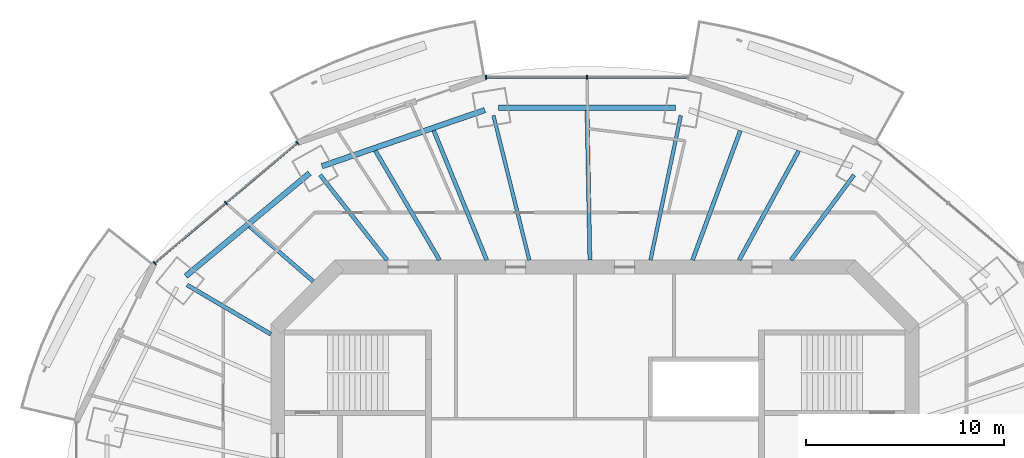
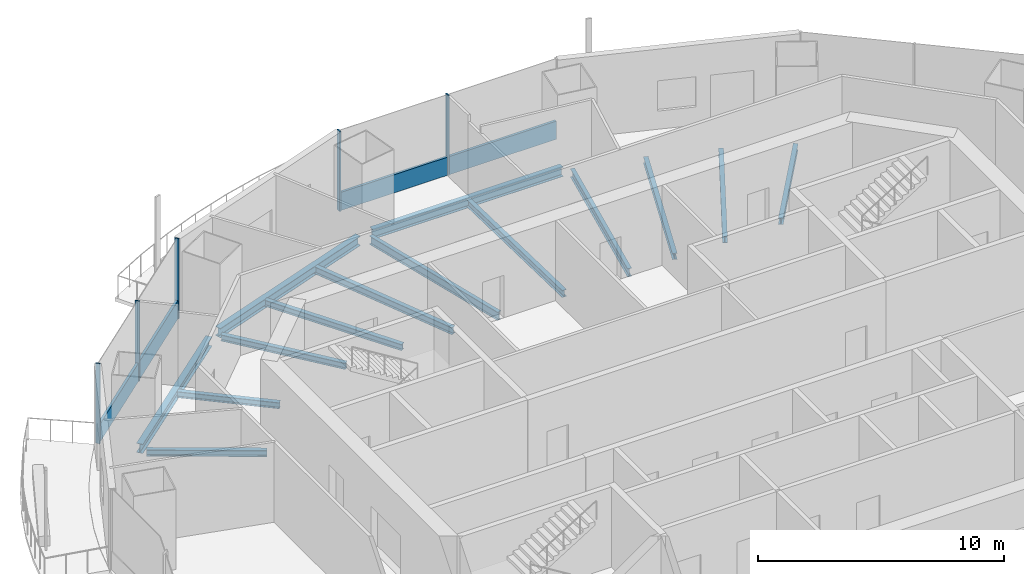
# One storey, part 5 of 16: 14 beams, 7 members, 2 elements without a shape of their own.
"""IFC4 building model written with IfcOpenShell, lengths in metres."""

from ifc_helpers import new_model, si_unit, direction, frame, origin, origin_2d, place, context, subcontext, project, spatial, rectangle, i_section, extrude, material, material_profile, profile_set, type_object, element, aggregate, save


model = new_model("IFC4")

# Units and contexts
model_context = context("Model", 3, precision=1e-05, world=origin(), true_north=direction((0.0, 1.0)))
body_context = subcontext(model_context, "Body", "Model", "MODEL_VIEW")
ifc_project = project(units=[si_unit("LENGTHUNIT", "METRE"), si_unit("AREAUNIT", "SQUARE_METRE"), si_unit("VOLUMEUNIT", "CUBIC_METRE"), si_unit("PLANEANGLEUNIT", "RADIAN"), si_unit("MASSUNIT", "GRAM", prefix="KILO")], contexts=[model_context])

# Site, building, storey
site_placement = place(None, origin())
site = spatial("IfcSite", under=ifc_project, at=site_placement, CompositionType="ELEMENT")
building_placement = place(site_placement, origin())
building = spatial("IfcBuilding", under=site, at=building_placement, Name="Marenthal Gate Tower", CompositionType="ELEMENT")
storey_placement = place(building_placement, frame((0.0, 0.0, 363.35009765625)))
storey = spatial("IfcBuildingStorey", under=building, at=storey_placement, Name="L82", CompositionType="ELEMENT", Elevation=363.35009765625)

# Curtain wall, members
ifc_material_1 = material(Name="Aluminium and glass", Category="aluminium")
curtain_wall_type = type_object("IfcCurtainWallType", Name="Curtain wall typical high", PredefinedType="NOTDEFINED", material=ifc_material_1)
curtain_wall_1_placement = place(storey_placement, origin())
curtain_wall_1 = element("IfcCurtainWall", 1, at=curtain_wall_1_placement, inside=storey, type_object=curtain_wall_type, Name="Curtain wall L82 bay 4", PredefinedType="NOTDEFINED")
ifc_material_2 = material(Name="Aluminium", Category="aluminium")
ifc_material_profile_1 = material_profile(ifc_material_2, rectangle(XDim=0.199951171875, YDim=0.06005859375, at=origin_2d()), Name="60x200 aluminium mullion")
ifc_profile_set_1 = profile_set([ifc_material_profile_1], Name="Aluminium")
member_type_1 = type_object("IfcMemberType", Name="Mullion 60x200 typical high", PredefinedType="MULLION", material=ifc_profile_set_1)
member_1_placement = place(storey_placement, frame((-0.39990234375, 22.586181640625, 0.0), z_axis=(0.0, 0.0, 1.0), x_axis=(0.0, -1.0, 0.0)))
member_1 = element("IfcMember", 2, at=member_1_placement, type_object=member_type_1, Name="Mullion L82 bay 4.2", PredefinedType="MULLION", context=body_context, shape_type="SweptSolid", body=[
    extrude(rectangle(XDim=0.199951171875, YDim=0.06005859375, at=origin_2d()), origin(), (0.0, 0.0, 1.0), 3.969970703125),
])
member_2_placement = place(storey_placement, frame((-5.493896484375, 22.586181640625, 0.0), z_axis=(0.0, 0.0, 1.0), x_axis=(0.0, -1.0, 0.0)))
member_2 = element("IfcMember", 3, at=member_2_placement, type_object=member_type_1, Name="Mullion L82 bay 4.3", PredefinedType="MULLION", context=body_context, shape_type="SweptSolid", body=[
    extrude(rectangle(XDim=0.199951171875, YDim=0.06005859375, at=origin_2d()), origin(), (0.0, 0.0, 1.0), 3.969970703125),
])

curtain_wall_2_placement = place(storey_placement, origin())
curtain_wall_2 = element("IfcCurtainWall", 4, at=curtain_wall_2_placement, inside=storey, type_object=curtain_wall_type, Name="Curtain wall L82 bay 6", PredefinedType="NOTDEFINED")
member_3_placement = place(storey_placement, frame((-15.01513671875, 19.265380859375, 0.0), z_axis=(0.0, 0.0, 1.0), x_axis=(0.644022605429, -0.765006459905, 0.0)))
member_3 = element("IfcMember", 5, at=member_3_placement, type_object=member_type_1, Name="Mullion L82 bay 6.1", PredefinedType="MULLION", context=body_context, shape_type="SweptSolid", body=[
    extrude(rectangle(XDim=0.199951171875, YDim=0.06005859375, at=origin_2d()), origin(), (0.0, 0.0, 1.0), 3.969970703125),
])
member_4_placement = place(storey_placement, frame((-18.615234375, 16.234375, 0.0), z_axis=(0.0, 0.0, 1.0), x_axis=(0.644022605429, -0.765006459905, 0.0)))
member_4 = element("IfcMember", 6, at=member_4_placement, type_object=member_type_1, Name="Mullion L82 bay 6.2", PredefinedType="MULLION", context=body_context, shape_type="SweptSolid", body=[
    extrude(rectangle(XDim=0.199951171875, YDim=0.06005859375, at=origin_2d()), origin(), (0.0, 0.0, 1.0), 3.969970703125),
])
member_5_placement = place(storey_placement, frame((-22.215576171875, 13.20361328125, 0.0), z_axis=(0.0, 0.0, 1.0), x_axis=(0.644022605429, -0.765006459905, 0.0)))
member_5 = element("IfcMember", 7, at=member_5_placement, type_object=member_type_1, Name="Mullion L82 bay 6.3", PredefinedType="MULLION", context=body_context, shape_type="SweptSolid", body=[
    extrude(rectangle(XDim=0.199951171875, YDim=0.06005859375, at=origin_2d()), origin(), (0.0, 0.0, 1.0), 3.969970703125),
])

# Member
ifc_material_3 = material(Name="Aluminium", Category="aluminium")
ifc_material_profile_2 = material_profile(ifc_material_3, rectangle(XDim=0.1201171875, YDim=0.89990234375, at=origin_2d()), Name="120x900 aluminium transom")
ifc_profile_set_2 = profile_set([ifc_material_profile_2], Name="Aluminium")
member_type_2 = type_object("IfcMemberType", Name="Transom 120x900 typical high", PredefinedType="USERDEFINED", material=ifc_profile_set_2)
member_6_placement = place(storey_placement, frame((4.6640625, 22.586181640625, 0.449951171875), z_axis=(-1.0, 0.0, 0.0), x_axis=(0.0, -1.0, 0.0)))
member_6 = element("IfcMember", 8, at=member_6_placement, type_object=member_type_2, Name="Transom L82 bay 4", ObjectType="TRANSOM", PredefinedType="USERDEFINED", context=body_context, shape_type="SweptSolid", body=[
    extrude(rectangle(XDim=0.1201171875, YDim=0.89990234375, at=origin_2d()), origin(), (0.0, 0.0, 1.0), 10.128173828125),
])

aggregate(curtain_wall_1, [member_1, member_2, member_6])

member_7_placement = place(storey_placement, frame((-15.0380859375, 19.245849609375, 0.449951171875), z_axis=(-0.76501273232, -0.644015154626, 0.0), x_axis=(0.644015154626, -0.76501273232, 0.0)))
member_7 = element("IfcMember", 9, at=member_7_placement, type_object=member_type_2, Name="Transom L82 bay 6", ObjectType="TRANSOM", PredefinedType="USERDEFINED", context=body_context, shape_type="SweptSolid", body=[
    extrude(rectangle(XDim=0.1201171875, YDim=0.89990234375, at=origin_2d()), origin(), (0.0, 0.0, 1.0), 9.352294921875),
])

aggregate(curtain_wall_2, [member_3, member_4, member_5, member_7])

# Beams
ifc_material_4 = material(Name="Steel S355", Category="steel")
ifc_material_profile_3 = material_profile(ifc_material_4, i_section(OverallWidth=0.202880859375, OverallDepth=0.302001953125, WebThickness=0.007568359375, FlangeThickness=0.01318359375, FilletRadius=0.0126953125, at=origin_2d()), Name="W310X60")
ifc_profile_set_3 = profile_set([ifc_material_profile_3], Name="Steel S355")
beam_type_1 = type_object("IfcBeamType", Name="W310X60 beam", PredefinedType="BEAM", material=ifc_profile_set_3)
beam_1_placement = place(storey_placement, frame((-17.41259765625, 15.046142578125, -0.3310546875), z_axis=(0.756654197552, -0.653815283797, 0.0), x_axis=(0.653815283797, 0.756654197552, 0.0)))
element("IfcBeam", 10, at=beam_1_placement, inside=storey, type_object=beam_type_1, Name="BM-L82-25", PredefinedType="BEAM", context=body_context, shape_type="SweptSolid", body=[
    extrude(i_section(OverallWidth=0.202880859375, OverallDepth=0.302001953125, WebThickness=0.007568359375, FlangeThickness=0.01318359375, FilletRadius=0.0126953125, at=origin_2d()), origin(), (0.0, 0.0, 1.0), 4.22802734375),
])
ifc_material_5 = material(Name="Steel S355", Category="steel")
ifc_material_profile_4 = material_profile(ifc_material_5, i_section(OverallWidth=0.205078125, OverallDepth=0.31005859375, WebThickness=0.009521484375, FlangeThickness=0.016357421875, FilletRadius=0.0126953125, at=origin_2d()), Name="W310X74")
ifc_profile_set_4 = profile_set([ifc_material_profile_4], Name="Steel S355")
beam_type_2 = type_object("IfcBeamType", Name="W310X74 beam", PredefinedType="BEAM", material=ifc_profile_set_4)
beam_2_placement = place(storey_placement, frame((13.071533203125, 17.643310546875, -0.335205078125), z_axis=(-0.595288742749, -0.803511862238, 0.0), x_axis=(0.803511862238, -0.595288742749, 0.0)))
element("IfcBeam", 11, at=beam_2_placement, inside=storey, type_object=beam_type_2, Name="BM-L82-03", PredefinedType="BEAM", context=body_context, shape_type="SweptSolid", body=[
    extrude(i_section(OverallWidth=0.205078125, OverallDepth=0.31005859375, WebThickness=0.009521484375, FlangeThickness=0.016357421875, FilletRadius=0.0126953125, at=origin_2d()), origin(), (0.0, 0.0, 1.0), 5.343017578125),
])
beam_3_placement = place(storey_placement, frame((-13.860107421875, 17.647216796875, -0.335205078125), z_axis=(0.617673543171, -0.786434608894, 0.0), x_axis=(0.786434608894, 0.617673543171, 0.0)))
element("IfcBeam", 12, at=beam_3_placement, inside=storey, type_object=beam_type_2, Name="BM-L82-06", PredefinedType="BEAM", context=body_context, shape_type="SweptSolid", body=[
    extrude(i_section(OverallWidth=0.205078125, OverallDepth=0.31005859375, WebThickness=0.009521484375, FlangeThickness=0.016357421875, FilletRadius=0.0126953125, at=origin_2d()), origin(), (0.0, 0.0, 1.0), 5.464111328125),
])
beam_4_placement = place(storey_placement, frame((-20.57177734375, 12.098876953125, -0.335205078125), z_axis=(0.861950873006, -0.506991807156, 0.0), x_axis=(0.506991807156, 0.861950873006, 0.0)))
element("IfcBeam", 13, at=beam_4_placement, inside=storey, type_object=beam_type_2, Name="BM-L82-07", PredefinedType="BEAM", context=body_context, shape_type="SweptSolid", body=[
    extrude(i_section(OverallWidth=0.205078125, OverallDepth=0.31005859375, WebThickness=0.009521484375, FlangeThickness=0.016357421875, FilletRadius=0.0126953125, at=origin_2d()), origin(), (0.0, 0.0, 1.0), 4.897705078125),
])
beam_5_placement = place(storey_placement, frame((10.280517578125, 18.868408203125, -0.335205078125), z_axis=(-0.478465572796, -0.87810631227, 0.0), x_axis=(0.87810631227, -0.478465572796, 0.0)))
element("IfcBeam", 14, at=beam_5_placement, inside=storey, type_object=beam_type_2, Name="BM-L82-20", PredefinedType="BEAM", context=body_context, shape_type="SweptSolid", body=[
    extrude(i_section(OverallWidth=0.205078125, OverallDepth=0.31005859375, WebThickness=0.009521484375, FlangeThickness=0.016357421875, FilletRadius=0.0126953125, at=origin_2d()), origin(), (0.0, 0.0, 1.0), 6.284423828125),
])
beam_6_placement = place(storey_placement, frame((7.333740234375, 19.8837890625, -0.335205078125), z_axis=(-0.34605462935, -0.938214364367, 0.0), x_axis=(0.938214364367, -0.34605462935, 0.0)))
element("IfcBeam", 15, at=beam_6_placement, inside=storey, type_object=beam_type_2, Name="BM-L82-21", PredefinedType="BEAM", context=body_context, shape_type="SweptSolid", body=[
    extrude(i_section(OverallWidth=0.205078125, OverallDepth=0.31005859375, WebThickness=0.009521484375, FlangeThickness=0.016357421875, FilletRadius=0.0126953125, at=origin_2d()), origin(), (0.0, 0.0, 1.0), 6.9638671875),
])
beam_7_placement = place(storey_placement, frame((-11.076171875, 18.8701171875, -0.335205078125), z_axis=(0.506226470538, -0.862400580083, 0.0), x_axis=(0.862400580083, 0.506226470538, 0.0)))
element("IfcBeam", 16, at=beam_7_placement, inside=storey, type_object=beam_type_2, Name="BM-L82-24", PredefinedType="BEAM", context=body_context, shape_type="SweptSolid", body=[
    extrude(i_section(OverallWidth=0.205078125, OverallDepth=0.31005859375, WebThickness=0.009521484375, FlangeThickness=0.016357421875, FilletRadius=0.0126953125, at=origin_2d()), origin(), (0.0, 0.0, 1.0), 6.40087890625),
])
ifc_material_6 = material(Name="Steel S355", Category="steel")
ifc_material_profile_5 = material_profile(ifc_material_6, i_section(OverallWidth=0.205078125, OverallDepth=0.35302734375, WebThickness=0.009521484375, FlangeThickness=0.016845703125, FilletRadius=0.014892578125, at=origin_2d()), Name="W360X79")
ifc_profile_set_5 = profile_set([ifc_material_profile_5], Name="Steel S355")
beam_type_3 = type_object("IfcBeamType", Name="W360X79 beam", PredefinedType="BEAM", material=ifc_profile_set_5)
beam_8_placement = place(storey_placement, frame((-0.397216796875, 20.89697265625, -0.356689453125), z_axis=(0.018985966402, -0.999819750295, 0.0), x_axis=(0.999819750295, 0.018985966402, 0.0)))
element("IfcBeam", 17, at=beam_8_placement, inside=storey, type_object=beam_type_3, Name="BM-L82-22", PredefinedType="BEAM", context=body_context, shape_type="SweptSolid", body=[
    extrude(i_section(OverallWidth=0.205078125, OverallDepth=0.35302734375, WebThickness=0.009521484375, FlangeThickness=0.016845703125, FilletRadius=0.014892578125, at=origin_2d()), origin(), (0.0, 0.0, 1.0), 7.54833984375),
])
beam_9_placement = place(storey_placement, frame((-8.129150390625, 19.88525390625, -0.356689453125), z_axis=(0.378409319128, -0.925638367397, 0.0), x_axis=(0.925638367397, 0.378409319128, 0.0)))
element("IfcBeam", 18, at=beam_9_placement, inside=storey, type_object=beam_type_3, Name="BM-L82-23", PredefinedType="BEAM", context=body_context, shape_type="SweptSolid", body=[
    extrude(i_section(OverallWidth=0.205078125, OverallDepth=0.35302734375, WebThickness=0.009521484375, FlangeThickness=0.016845703125, FilletRadius=0.014892578125, at=origin_2d()), origin(), (0.0, 0.0, 1.0), 7.06005859375),
])
ifc_material_7 = material(Name="Steel S355", Category="steel")
ifc_material_profile_6 = material_profile(ifc_material_7, i_section(OverallWidth=0.180908203125, OverallDepth=0.4169921875, WebThickness=0.010986328125, FlangeThickness=0.018310546875, FilletRadius=0.01025390625, at=origin_2d()), Name="W410X85")
ifc_profile_set_6 = profile_set([ifc_material_profile_6], Name="Steel S355")
beam_type_4 = type_object("IfcBeamType", Name="W410X85 beam", PredefinedType="BEAM", material=ifc_profile_set_6)
beam_10_placement = place(storey_placement, frame((4.33349609375, 20.644287109375, -0.388671875), z_axis=(-0.205449154354, -0.978667790915, 0.0), x_axis=(0.978667790915, -0.205449154354, 0.0)))
element("IfcBeam", 19, at=beam_10_placement, inside=storey, type_object=beam_type_4, Name="BM-L82-04", PredefinedType="BEAM", context=body_context, shape_type="SweptSolid", body=[
    extrude(i_section(OverallWidth=0.180908203125, OverallDepth=0.4169921875, WebThickness=0.010986328125, FlangeThickness=0.018310546875, FilletRadius=0.01025390625, at=origin_2d()), origin(), (0.0, 0.0, 1.0), 7.453125),
])
beam_11_placement = place(storey_placement, frame((-5.118896484375, 20.6455078125, -0.388671875), z_axis=(0.240655066807, -0.970610704052, 0.0), x_axis=(0.970610704052, 0.240655066807, 0.0)))
element("IfcBeam", 20, at=beam_11_placement, inside=storey, type_object=beam_type_4, Name="BM-L82-05", PredefinedType="BEAM", context=body_context, shape_type="SweptSolid", body=[
    extrude(i_section(OverallWidth=0.180908203125, OverallDepth=0.4169921875, WebThickness=0.010986328125, FlangeThickness=0.018310546875, FilletRadius=0.01025390625, at=origin_2d()), origin(), (0.0, 0.0, 1.0), 7.516357421875),
])
ifc_material_8 = material(Name="Steel S355", Category="steel")
ifc_material_profile_7 = material_profile(ifc_material_8, i_section(OverallWidth=0.279052734375, OverallDepth=0.4619140625, WebThickness=0.0107421875, FlangeThickness=0.017333984375, FilletRadius=0.010009765625, at=origin_2d()), Name="W460X113")
ifc_profile_set_7 = profile_set([ifc_material_profile_7], Name="Steel S355")
beam_type_5 = type_object("IfcBeamType", Name="W460X113 beam", PredefinedType="BEAM", material=ifc_profile_set_7)
beam_12_placement = place(storey_placement, frame((4.05419921875, 21.03662109375, -0.4111328125), z_axis=(-1.0, 0.0, 0.0), x_axis=(0.0, -1.0, 0.0)))
element("IfcBeam", 21, at=beam_12_placement, inside=storey, type_object=beam_type_5, Name="BM-L82-42", PredefinedType="BEAM", context=body_context, shape_type="SweptSolid", body=[
    extrude(i_section(OverallWidth=0.279052734375, OverallDepth=0.4619140625, WebThickness=0.0107421875, FlangeThickness=0.017333984375, FilletRadius=0.010009765625, at=origin_2d()), origin(), (0.0, 0.0, 1.0), 8.908447265625),
])
beam_13_placement = place(storey_placement, frame((-5.55810546875, 20.918701171875, -0.4111328125), z_axis=(-0.945456581445, -0.325748142898, 0.0), x_axis=(0.325748142898, -0.945456581445, 0.0)))
element("IfcBeam", 22, at=beam_13_placement, inside=storey, type_object=beam_type_5, Name="BM-L82-43", PredefinedType="BEAM", context=body_context, shape_type="SweptSolid", body=[
    extrude(i_section(OverallWidth=0.279052734375, OverallDepth=0.4619140625, WebThickness=0.0107421875, FlangeThickness=0.017333984375, FilletRadius=0.010009765625, at=origin_2d()), origin(), (0.0, 0.0, 1.0), 8.6865234375),
])
beam_14_placement = place(storey_placement, frame((-14.39501953125, 17.737548828125, -0.4111328125), z_axis=(-0.768814455902, -0.639471916816, 0.0), x_axis=(0.639471916816, -0.768814455902, 0.0)))
element("IfcBeam", 23, at=beam_14_placement, inside=storey, type_object=beam_type_5, Name="BM-L82-44", PredefinedType="BEAM", context=body_context, shape_type="SweptSolid", body=[
    extrude(i_section(OverallWidth=0.279052734375, OverallDepth=0.4619140625, WebThickness=0.0107421875, FlangeThickness=0.017333984375, FilletRadius=0.010009765625, at=origin_2d()), origin(), (0.0, 0.0, 1.0), 8.1259765625),
])

save(model, "model.ifc")
